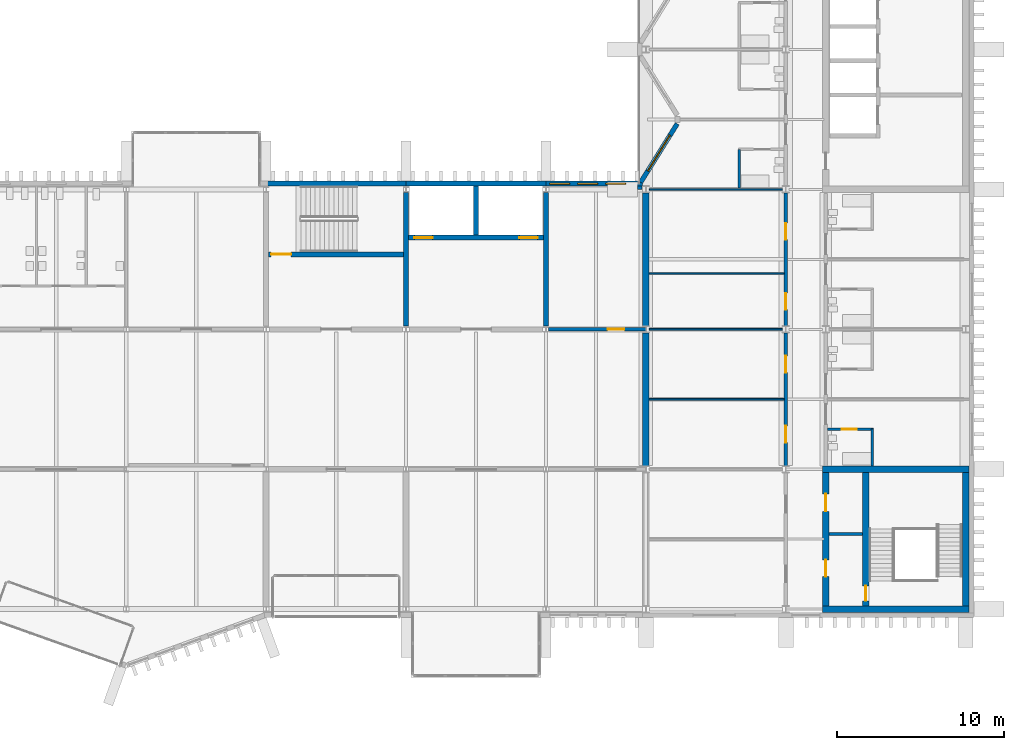
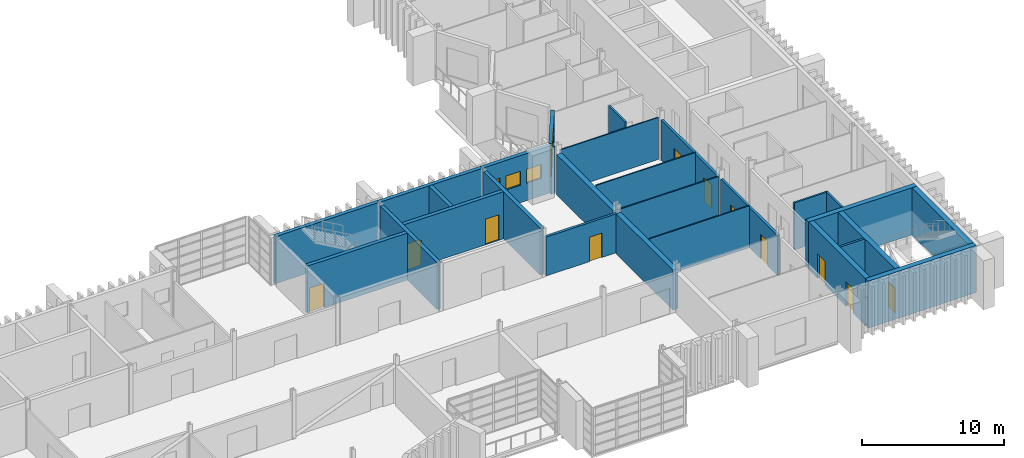
# One storey, part 74 of 100: 28 walls, 12 doors, 4 windows, 16 openings.
"""IFC4 building model written with IfcOpenShell, lengths in metres."""

from ifc_helpers import new_model, si_unit, direction, frame, frame_2d, origin, place, context, subcontext, project, spatial, rectangle, extrude, material, layer, layer_set, type_object, element, fill, save


model = new_model("IFC4")

# Units and contexts
model_context = context("Model", 3, precision=1e-05, world=origin(), true_north=direction((0.0, 1.0)))
body_context = subcontext(model_context, "Body", "Model", "MODEL_VIEW")
ifc_project = project(units=[si_unit("LENGTHUNIT", "METRE"), si_unit("AREAUNIT", "SQUARE_METRE"), si_unit("VOLUMEUNIT", "CUBIC_METRE"), si_unit("PLANEANGLEUNIT", "RADIAN"), si_unit("MASSUNIT", "GRAM", prefix="KILO")], contexts=[model_context])

# Site, building, storey
site_placement = place(None, origin())
site = spatial("IfcSite", under=ifc_project, at=site_placement, CompositionType="ELEMENT")
building_placement = place(site_placement, origin())
building = spatial("IfcBuilding", under=site, at=building_placement, Name="Cresset Court Congress Hotel", CompositionType="ELEMENT")
storey_placement = place(building_placement, frame((0.0, 0.0, 10.199951171875)))
storey = spatial("IfcBuildingStorey", under=building, at=storey_placement, Name="L02", CompositionType="ELEMENT", Elevation=10.199951171875)

# Walls
ifc_material_1 = material(Name="Concrete C50", Category="concrete")
ifc_layer_1 = layer(ifc_material_1, 0.300048828125)
ifc_layer_set_1 = layer_set([ifc_layer_1], Name="Core wall 300 Concrete C50")
wall_type_1 = type_object("IfcWallType", Name="Core wall 300 Concrete C50", PredefinedType="SHEAR", material=ifc_layer_set_1)
for number, where, z_axis, x_axis, name in (
    (1, (142.800048828125, 17.0, 0.0), (0.0, 0.0, 1.0), (0.0, 1.0, 0.0), "Core wall LC-B3"),
    (2, (151.199951171875, 17.0, 0.0), (0.0, 0.0, 1.0), (0.0, 1.0, 0.0), "Core wall LC-B3"),
):
    element("IfcWall", number, at=place(storey_placement, frame(where, z_axis=z_axis, x_axis=x_axis)), inside=storey, type_object=wall_type_1, Name=name, PredefinedType="SHEAR", context=body_context, shape_type="SweptSolid", body=[
        extrude(rectangle(XDim=8.0, YDim=0.300048828125, at=frame_2d((4.0, 0.0))), origin(), (0.0, 0.0, 1.0), 4.050048828125),
    ])

# Wall, openings, doors
wall_1_placement = place(storey_placement, frame((142.949951171875, 22.300048828125, 0.0), z_axis=(0.0, 0.0, 1.0), x_axis=(1.0, 0.0, 0.0)))
wall_1 = element("IfcWall", 3, at=wall_1_placement, inside=storey, type_object=wall_type_1, Name="Core wall LC-B3", PredefinedType="SHEAR", context=body_context, shape_type="SweptSolid", body=[
    extrude(rectangle(XDim=8.10009765625, YDim=0.300048828125, at=frame_2d((4.050048828125, 0.0))), origin(), (0.0, 0.0, 1.0), 4.050048828125),
])
opening_1_placement = place(wall_1_placement, frame((0.35009765625, 0.0, 0.0)))
opening_1 = element("IfcOpeningElement", 4, at=opening_1_placement, cuts=wall_1, Name="Opening LD-B3-07", PredefinedType="OPENING", context=body_context, shape_type="SweptSolid", body=[
    extrude(rectangle(XDim=1.10009765625, YDim=2.199951171875, at=frame_2d((0.550048828125, 1.10009765625))), frame((0.0, 0.159912109375, 0.0), z_axis=(0.0, -1.0, 0.0), x_axis=(1.0, 0.0, 0.0)), (0.0, 0.0, 1.0), 0.320068359375),
])
opening_2_placement = place(wall_1_placement, frame((6.64990234375, 0.0, 0.0)))
opening_2 = element("IfcOpeningElement", 5, at=opening_2_placement, cuts=wall_1, Name="Opening LD-B3-08", PredefinedType="OPENING", context=body_context, shape_type="SweptSolid", body=[
    extrude(rectangle(XDim=1.10009765625, YDim=2.199951171875, at=frame_2d((0.550048828125, 1.10009765625))), frame((0.0, 0.159912109375, 0.0), z_axis=(0.0, -1.0, 0.0), x_axis=(1.0, 0.0, 0.0)), (0.0, 0.0, 1.0), 0.320068359375),
])
ifc_material_2 = material(Name="Stainless steel", Category="steel")
door_type_1 = type_object("IfcDoorType", Name="Lift landing door sliding 1100x2200", OperationType="SLIDING_TO_LEFT", PredefinedType="DOOR", material=ifc_material_2)
door_1_placement = place(opening_1_placement, origin())
door_1 = element("IfcDoor", 6, at=door_1_placement, inside=storey, type_object=door_type_1, Name="Lift landing door LD-B3-07", OperationType="SLIDING_TO_LEFT", OverallHeight=2.199951171875, OverallWidth=1.10009765625, PredefinedType="DOOR", context=body_context, shape_type="SweptSolid", body=[
    extrude(rectangle(XDim=1.10009765625, YDim=2.199951171875, at=frame_2d((0.550048828125, 1.10009765625))), frame((0.0, 0.02490234375, 0.0), z_axis=(0.0, -1.0, 0.0), x_axis=(1.0, 0.0, 0.0)), (0.0, 0.0, 1.0), 0.050048828125),
])
fill(opening_1, door_1)
door_2_placement = place(opening_2_placement, origin())
door_2 = element("IfcDoor", 7, at=door_2_placement, inside=storey, type_object=door_type_1, Name="Lift landing door LD-B3-08", OperationType="SLIDING_TO_LEFT", OverallHeight=2.199951171875, OverallWidth=1.10009765625, PredefinedType="DOOR", context=body_context, shape_type="SweptSolid", body=[
    extrude(rectangle(XDim=1.10009765625, YDim=2.199951171875, at=frame_2d((0.550048828125, 1.10009765625))), frame((0.0, 0.02490234375, 0.0), z_axis=(0.0, -1.0, 0.0), x_axis=(1.0, 0.0, 0.0)), (0.0, 0.0, 1.0), 0.050048828125),
])
fill(opening_2, door_2)

# Wall
wall_2_placement = place(storey_placement, frame((147.0, 22.449951171875, 0.0), z_axis=(0.0, 0.0, 1.0), x_axis=(0.0, 1.0, 0.0)))
element("IfcWall", 8, at=wall_2_placement, inside=storey, type_object=wall_type_1, Name="Core wall LC-B3", PredefinedType="SHEAR", context=body_context, shape_type="SweptSolid", body=[
    extrude(rectangle(XDim=2.949951171875, YDim=0.300048828125, at=frame_2d((1.47509765625, 0.0))), origin(), (0.0, 0.0, 1.0), 4.050048828125),
])

# Wall, opening, door
wall_3_placement = place(storey_placement, frame((134.550048828125, 21.300048828125, 0.0), z_axis=(0.0, 0.0, 1.0), x_axis=(1.0, 0.0, 0.0)))
wall_3 = element("IfcWall", 9, at=wall_3_placement, inside=storey, type_object=wall_type_1, Name="Core wall ST-B5", PredefinedType="SHEAR", context=body_context, shape_type="SweptSolid", body=[
    extrude(rectangle(XDim=8.099853515625, YDim=0.300048828125, at=frame_2d((4.0498046875, 0.0))), origin(), (0.0, 0.0, 1.0), 4.050048828125),
])
opening_3_placement = place(wall_3_placement, frame((0.14990234375, 0.0, 0.0)))
opening_3 = element("IfcOpeningElement", 10, at=opening_3_placement, cuts=wall_3, Name="Opening DB-02-49", PredefinedType="OPENING", context=body_context, shape_type="SweptSolid", body=[
    extrude(rectangle(XDim=1.199951171875, YDim=2.10009765625, at=frame_2d((0.60009765625, 1.050048828125))), frame((0.0, 0.159912109375, 0.0), z_axis=(0.0, -1.0, 0.0), x_axis=(1.0, 0.0, 0.0)), (0.0, 0.0, 1.0), 0.320068359375),
])
ifc_material_3 = material(Name="Timber and steel frame", Category="steel")
door_type_2 = type_object("IfcDoorType", Name="Stair fire door FD60 1200x2100", OperationType="SINGLE_SWING_LEFT", PredefinedType="DOOR", material=ifc_material_3)
door_3_placement = place(opening_3_placement, origin())
door_3 = element("IfcDoor", 11, at=door_3_placement, inside=storey, type_object=door_type_2, Name="Stair door ST-B5", OperationType="SINGLE_SWING_LEFT", OverallHeight=2.10009765625, OverallWidth=1.199951171875, PredefinedType="DOOR", context=body_context, shape_type="SweptSolid", body=[
    extrude(rectangle(XDim=1.199951171875, YDim=2.10009765625, at=frame_2d((0.60009765625, 1.050048828125))), frame((0.0, 0.02490234375, 0.0), z_axis=(0.0, -1.0, 0.0), x_axis=(1.0, 0.0, 0.0)), (0.0, 0.0, 1.0), 0.050048828125),
])
fill(opening_3, door_3)

# Walls
ifc_material_4 = material(Name="Concrete C50", Category="concrete")
ifc_layer_2 = layer(ifc_material_4, 0.300048828125)
ifc_layer_set_2 = layer_set([ifc_layer_2], Name="Core wall 300 Concrete C50 external")
wall_type_2 = type_object("IfcWallType", Name="Core wall 300 Concrete C50 external", PredefinedType="SHEAR", material=ifc_layer_set_2)
wall_4_placement = place(storey_placement, frame((142.800048828125, 25.550048828125, 0.0), z_axis=(0.0, 0.0, 1.0), x_axis=(1.0, 0.0, 0.0)))
element("IfcWall", 12, at=wall_4_placement, inside=storey, type_object=wall_type_2, Name="Core wall LC-B3", PredefinedType="SHEAR", context=body_context, shape_type="SweptSolid", body=[
    extrude(rectangle(XDim=8.39990234375, YDim=0.300048828125, at=frame_2d((4.199951171875, 0.0))), origin(), (0.0, 0.0, 1.0), 4.050048828125),
])
wall_5_placement = place(storey_placement, frame((134.39990234375, 25.550048828125, 0.0), z_axis=(0.0, 0.0, 1.0), x_axis=(1.0, 0.0, 0.0)))
element("IfcWall", 13, at=wall_5_placement, inside=storey, type_object=wall_type_2, Name="Core wall ST-B5", PredefinedType="SHEAR", context=body_context, shape_type="SweptSolid", body=[
    extrude(rectangle(XDim=8.400146484375, YDim=0.300048828125, at=frame_2d((4.2001953125, 0.0))), origin(), (0.0, 0.0, 1.0), 4.050048828125),
])

# Wall, openings, doors
ifc_material_5 = material(Name="Gypsum board partition")
ifc_layer_3 = layer(ifc_material_5, 0.199951171875)
ifc_layer_set_3 = layer_set([ifc_layer_3], Name="Corridor wall 200")
wall_type_3 = type_object("IfcWallType", Name="Corridor wall 200", PredefinedType="PARTITIONING", material=ifc_layer_set_3)
wall_6_placement = place(storey_placement, frame((165.60009765625, 8.60693359375, 0.0), z_axis=(0.0, 0.0, 1.0), x_axis=(0.0, 1.0, 0.0)))
wall_6 = element("IfcWall", 14, at=wall_6_placement, inside=storey, type_object=wall_type_3, Name="A.wl.L02.062", PredefinedType="PARTITIONING", context=body_context, shape_type="SweptSolid", body=[
    extrude(rectangle(XDim=7.986083984375, YDim=0.199951171875, at=frame_2d((3.9931640625, 0.0))), origin(), (0.0, 0.0, 1.0), 3.449951171875),
])
opening_4_placement = place(wall_6_placement, frame((1.39306640625, 0.0, 0.0)))
opening_4 = element("IfcOpeningElement", 15, at=opening_4_placement, cuts=wall_6, Name="Opening DA-02-03", PredefinedType="OPENING", context=body_context, shape_type="SweptSolid", body=[
    extrude(rectangle(XDim=1.0, YDim=2.10009765625, at=frame_2d((0.5, 1.050048828125))), frame((0.0, 0.10986328125, 0.0), z_axis=(0.0, -1.0, 0.0), x_axis=(1.0, 0.0, 0.0)), (0.0, 0.0, 1.0), 0.219970703125),
])
opening_5_placement = place(wall_6_placement, frame((5.593017578125, 0.0, 0.0)))
opening_5 = element("IfcOpeningElement", 16, at=opening_5_placement, cuts=wall_6, Name="Opening DA-02-04", PredefinedType="OPENING", context=body_context, shape_type="SweptSolid", body=[
    extrude(rectangle(XDim=1.0, YDim=2.10009765625, at=frame_2d((0.5, 1.050048828125))), frame((0.0, 0.10986328125, 0.0), z_axis=(0.0, -1.0, 0.0), x_axis=(1.0, 0.0, 0.0)), (0.0, 0.0, 1.0), 0.219970703125),
])
ifc_material_6 = material(Name="timber", Category="wood")
door_type_3 = type_object("IfcDoorType", Name="Meeting-room door 1000x2100 FD90", OperationType="SINGLE_SWING_LEFT", PredefinedType="DOOR", material=ifc_material_6)
door_4_placement = place(opening_4_placement, origin())
door_4 = element("IfcDoor", 17, at=door_4_placement, inside=storey, type_object=door_type_3, Name="Door DA-02-03", OperationType="SINGLE_SWING_LEFT", OverallHeight=2.10009765625, OverallWidth=1.0, PredefinedType="DOOR", context=body_context, shape_type="SweptSolid", body=[
    extrude(rectangle(XDim=1.0, YDim=2.10009765625, at=frame_2d((0.5, 1.050048828125))), frame((0.0, 0.02490234375, 0.0), z_axis=(0.0, -1.0, 0.0), x_axis=(1.0, 0.0, 0.0)), (0.0, 0.0, 1.0), 0.050048828125),
])
fill(opening_4, door_4)
door_5_placement = place(opening_5_placement, origin())
door_5 = element("IfcDoor", 18, at=door_5_placement, inside=storey, type_object=door_type_3, Name="Door DA-02-04", OperationType="SINGLE_SWING_RIGHT", OverallHeight=2.10009765625, OverallWidth=1.0, PredefinedType="DOOR", context=body_context, shape_type="SweptSolid", body=[
    extrude(rectangle(XDim=1.0, YDim=2.10009765625, at=frame_2d((0.5, 1.050048828125))), frame((0.0, 0.02490234375, 0.0), z_axis=(0.0, -1.0, 0.0), x_axis=(1.0, 0.0, 0.0)), (0.0, 0.0, 1.0), 0.050048828125),
])
fill(opening_5, door_5)

wall_7_placement = place(storey_placement, frame((165.60009765625, 17.007080078125, 0.0), z_axis=(0.0, 0.0, 1.0), x_axis=(0.0, 1.0, 0.0)))
wall_7 = element("IfcWall", 19, at=wall_7_placement, inside=storey, type_object=wall_type_3, Name="A.wl.L02.063", PredefinedType="PARTITIONING", context=body_context, shape_type="SweptSolid", body=[
    extrude(rectangle(XDim=7.98583984375, YDim=0.199951171875, at=frame_2d((3.992919921875, 0.0))), origin(), (0.0, 0.0, 1.0), 3.449951171875),
])
opening_6_placement = place(wall_7_placement, frame((0.972900390625, 0.0, 0.0)))
opening_6 = element("IfcOpeningElement", 20, at=opening_6_placement, cuts=wall_7, Name="Opening DA-02-05", PredefinedType="OPENING", context=body_context, shape_type="SweptSolid", body=[
    extrude(rectangle(XDim=1.0, YDim=2.10009765625, at=frame_2d((0.5, 1.050048828125))), frame((0.0, 0.10986328125, 0.0), z_axis=(0.0, -1.0, 0.0), x_axis=(1.0, 0.0, 0.0)), (0.0, 0.0, 1.0), 0.219970703125),
])
opening_7_placement = place(wall_7_placement, frame((5.173095703125, 0.0, 0.0)))
opening_7 = element("IfcOpeningElement", 21, at=opening_7_placement, cuts=wall_7, Name="Opening DA-02-06", PredefinedType="OPENING", context=body_context, shape_type="SweptSolid", body=[
    extrude(rectangle(XDim=1.0, YDim=2.10009765625, at=frame_2d((0.5, 1.050048828125))), frame((0.0, 0.10986328125, 0.0), z_axis=(0.0, -1.0, 0.0), x_axis=(1.0, 0.0, 0.0)), (0.0, 0.0, 1.0), 0.219970703125),
])
door_6_placement = place(opening_6_placement, origin())
door_6 = element("IfcDoor", 22, at=door_6_placement, inside=storey, type_object=door_type_3, Name="Door DA-02-05", OperationType="SINGLE_SWING_LEFT", OverallHeight=2.10009765625, OverallWidth=1.0, PredefinedType="DOOR", context=body_context, shape_type="SweptSolid", body=[
    extrude(rectangle(XDim=1.0, YDim=2.10009765625, at=frame_2d((0.5, 1.050048828125))), frame((0.0, 0.02490234375, 0.0), z_axis=(0.0, -1.0, 0.0), x_axis=(1.0, 0.0, 0.0)), (0.0, 0.0, 1.0), 0.050048828125),
])
fill(opening_6, door_6)
door_7_placement = place(opening_7_placement, origin())
door_7 = element("IfcDoor", 23, at=door_7_placement, inside=storey, type_object=door_type_3, Name="Door DA-02-06", OperationType="SINGLE_SWING_RIGHT", OverallHeight=2.10009765625, OverallWidth=1.0, PredefinedType="DOOR", context=body_context, shape_type="SweptSolid", body=[
    extrude(rectangle(XDim=1.0, YDim=2.10009765625, at=frame_2d((0.5, 1.050048828125))), frame((0.0, 0.02490234375, 0.0), z_axis=(0.0, -1.0, 0.0), x_axis=(1.0, 0.0, 0.0)), (0.0, 0.0, 1.0), 0.050048828125),
])
fill(opening_7, door_7)

# Walls
ifc_material_7 = material(Name="Gypsum board partition")
ifc_layer_4 = layer(ifc_material_7, 0.14990234375)
ifc_layer_set_4 = layer_set([ifc_layer_4], Name="En-suite wall 150")
wall_type_4 = type_object("IfcWallType", Name="En-suite wall 150", PredefinedType="PARTITIONING", material=ifc_layer_set_4)
wall_8_placement = place(storey_placement, frame((162.800048828125, 25.27490234375, 0.0), z_axis=(0.0, 0.0, 1.0), x_axis=(0.0, 1.0, 0.0)))
element("IfcWall", 24, at=wall_8_placement, inside=storey, type_object=wall_type_4, Name="A.wl.L02.001", PredefinedType="PARTITIONING", context=body_context, shape_type="SweptSolid", body=[
    extrude(rectangle(XDim=2.3251953125, YDim=0.14990234375, at=frame_2d((1.16259765625, 0.0))), origin(), (0.0, 0.0, 1.0), 4.050048828125),
])
wall_9_placement = place(storey_placement, frame((170.800048828125, 8.60009765625, 0.0), z_axis=(0.0, 0.0, 1.0), x_axis=(0.0, 1.0, 0.0)))
element("IfcWall", 25, at=wall_9_placement, inside=storey, type_object=wall_type_4, Name="A.wl.L02.021", PredefinedType="PARTITIONING", context=body_context, shape_type="SweptSolid", body=[
    extrude(rectangle(XDim=2.199951171875, YDim=0.14990234375, at=frame_2d((1.10009765625, 0.0))), origin(), (0.0, 0.0, 1.0), 4.050048828125),
])

# Wall, opening, door
wall_10_placement = place(storey_placement, frame((170.85009765625, 10.800048828125, 0.0), z_axis=(0.0, 0.0, 1.0), x_axis=(-1.0, 0.0, 0.0)))
wall_10 = element("IfcWall", 26, at=wall_10_placement, inside=storey, type_object=wall_type_4, Name="A.wl.L02.022", PredefinedType="PARTITIONING", context=body_context, shape_type="SweptSolid", body=[
    extrude(rectangle(XDim=2.75, YDim=0.14990234375, at=frame_2d((1.375, 0.0))), origin(), (0.0, 0.0, 1.0), 4.050048828125),
])
opening_8_placement = place(wall_10_placement, frame((0.97998046875, 0.0, 0.0)))
opening_8 = element("IfcOpeningElement", 27, at=opening_8_placement, cuts=wall_10, Name="Opening DA-02-27", PredefinedType="OPENING", context=body_context, shape_type="SweptSolid", body=[
    extrude(rectangle(XDim=0.89990234375, YDim=2.10009765625, at=frame_2d((0.449951171875, 1.050048828125))), frame((0.0, 0.0849609375, 0.0), z_axis=(0.0, -1.0, 0.0), x_axis=(1.0, 0.0, 0.0)), (0.0, 0.0, 1.0), 0.169921875),
])
ifc_material_8 = material(Name="timber", Category="wood")
door_type_4 = type_object("IfcDoorType", Name="En-suite door 900x2100", OperationType="SINGLE_SWING_LEFT", PredefinedType="DOOR", material=ifc_material_8)
door_8_placement = place(opening_8_placement, origin())
door_8 = element("IfcDoor", 28, at=door_8_placement, inside=storey, type_object=door_type_4, Name="Door DA-02-27", OperationType="SINGLE_SWING_RIGHT", OverallHeight=2.10009765625, OverallWidth=0.89990234375, PredefinedType="DOOR", context=body_context, shape_type="SweptSolid", body=[
    extrude(rectangle(XDim=0.89990234375, YDim=2.10009765625, at=frame_2d((0.449951171875, 1.050048828125))), frame((0.0, 0.02490234375, 0.0), z_axis=(0.0, -1.0, 0.0), x_axis=(1.0, 0.0, 0.0)), (0.0, 0.0, 1.0), 0.050048828125),
])
fill(opening_8, door_8)

# Wall
ifc_material_9 = material(Name="Precast concrete C50", Category="concrete")
ifc_layer_5 = layer(ifc_material_9, 0.280029296875)
ifc_layer_set_5 = layer_set([ifc_layer_5], Name="External wall 280")
wall_type_5 = type_object("IfcWallType", Name="External wall 280", PredefinedType="SOLIDWALL", material=ifc_layer_set_5)
wall_11_placement = place(storey_placement, frame((156.840087890625, 25.199951171875, 0.0), z_axis=(0.0, 0.0, 1.0), x_axis=(0.0, 1.0, 0.0)))
element("IfcWall", 29, at=wall_11_placement, inside=storey, type_object=wall_type_5, Name="A.ew.L02.W.1", PredefinedType="SOLIDWALL", context=body_context, shape_type="SweptSolid", body=[
    extrude(rectangle(XDim=0.199951171875, YDim=0.280029296875, at=frame_2d((0.10009765625, 0.0))), origin(), (0.0, 0.0, 1.0), 4.050048828125),
])

# Wall, opening, window
wall_12_placement = place(storey_placement, frame((156.88623046875, 25.6240234375, 0.0), z_axis=(0.0, 0.0, 1.0), x_axis=(0.528992500338, 0.848626498871, 0.0)))
wall_12 = element("IfcWall", 30, at=wall_12_placement, inside=storey, type_object=wall_type_5, Name="A.ew.L02.Wn.3.0", PredefinedType="SOLIDWALL", context=body_context, shape_type="SweptSolid", body=[
    extrude(rectangle(XDim=4.14453125, YDim=0.280029296875, at=frame_2d((2.072265625, 0.0))), origin(), (0.0, 0.0, 1.0), 4.050048828125),
])
opening_9_placement = place(wall_12_placement, frame((0.812255859375, 0.0, 0.60009765625)))
opening_9 = element("IfcOpeningElement", 31, at=opening_9_placement, cuts=wall_12, Name="Opening NA-02-01", PredefinedType="OPENING", context=body_context, shape_type="SweptSolid", body=[
    extrude(rectangle(XDim=2.52001953125, YDim=2.39990234375, at=frame_2d((1.260009765625, 1.199951171875))), frame((0.0, 0.14990234375, 0.0), z_axis=(0.0, -1.0, 0.0), x_axis=(1.0, 0.0, 0.0)), (0.0, 0.0, 1.0), 0.300048828125),
])
ifc_material_10 = material(Name="Aluminium and glass", Category="aluminium")
window_type_1 = type_object("IfcWindowType", Name="Window 2520x2400", PartitioningType="SINGLE_PANEL", PredefinedType="WINDOW", material=ifc_material_10)
window_1_placement = place(opening_9_placement, origin())
window_1 = element("IfcWindow", 32, at=window_1_placement, inside=storey, type_object=window_type_1, Name="Window NA-02-01", OverallHeight=2.39990234375, OverallWidth=2.52001953125, PartitioningType="SINGLE_PANEL", PredefinedType="WINDOW", context=body_context, shape_type="SweptSolid", body=[
    extrude(rectangle(XDim=2.52001953125, YDim=2.39990234375, at=frame_2d((1.260009765625, 1.199951171875))), frame((0.0, 0.030029296875, 0.0), z_axis=(0.0, -1.0, 0.0), x_axis=(1.0, 0.0, 0.0)), (0.0, 0.0, 1.0), 0.06005859375),
])
fill(opening_9, window_1)

# Wall, openings, windows
ifc_material_11 = material(Name="Concrete C40", Category="concrete")
ifc_layer_6 = layer(ifc_material_11, 0.300048828125)
ifc_layer_set_6 = layer_set([ifc_layer_6], Name="External wall 300 Concrete C40")
wall_type_6 = type_object("IfcWallType", Name="External wall 300 Concrete C40", PredefinedType="SOLIDWALL", material=ifc_layer_set_6)
wall_13_placement = place(storey_placement, frame((151.10009765625, 25.550048828125, 0.0), z_axis=(0.0, 0.0, 1.0), x_axis=(1.0, 0.0, 0.0)))
wall_13 = element("IfcWall", 33, at=wall_13_placement, inside=storey, type_object=wall_type_6, Name="External wall", PredefinedType="SOLIDWALL", context=body_context, shape_type="SweptSolid", body=[
    extrude(rectangle(XDim=5.89990234375, YDim=0.300048828125, at=frame_2d((2.949951171875, 0.0))), origin(), (0.0, 0.0, 1.0), 4.050048828125),
])
opening_10_placement = place(wall_13_placement, frame((0.340087890625, 0.0, 1.5)))
opening_10 = element("IfcOpeningElement", 34, at=opening_10_placement, cuts=wall_13, Name="Opening NB-02-67", PredefinedType="OPENING", context=body_context, shape_type="SweptSolid", body=[
    extrude(rectangle(XDim=1.199951171875, YDim=1.199951171875, at=frame_2d((0.60009765625, 0.60009765625))), frame((0.0, 0.159912109375, 0.0), z_axis=(0.0, -1.0, 0.0), x_axis=(1.0, 0.0, 0.0)), (0.0, 0.0, 1.0), 0.320068359375),
])
opening_11_placement = place(wall_13_placement, frame((2.02001953125, 0.0, 1.5)))
opening_11 = element("IfcOpeningElement", 35, at=opening_11_placement, cuts=wall_13, Name="Opening NB-02-68", PredefinedType="OPENING", context=body_context, shape_type="SweptSolid", body=[
    extrude(rectangle(XDim=1.199951171875, YDim=1.199951171875, at=frame_2d((0.60009765625, 0.60009765625))), frame((0.0, 0.159912109375, 0.0), z_axis=(0.0, -1.0, 0.0), x_axis=(1.0, 0.0, 0.0)), (0.0, 0.0, 1.0), 0.320068359375),
])
opening_12_placement = place(wall_13_placement, frame((3.699951171875, 0.0, 1.5)))
opening_12 = element("IfcOpeningElement", 36, at=opening_12_placement, cuts=wall_13, Name="Opening NB-02-69", PredefinedType="OPENING", context=body_context, shape_type="SweptSolid", body=[
    extrude(rectangle(XDim=1.199951171875, YDim=1.199951171875, at=frame_2d((0.60009765625, 0.60009765625))), frame((0.0, 0.159912109375, 0.0), z_axis=(0.0, -1.0, 0.0), x_axis=(1.0, 0.0, 0.0)), (0.0, 0.0, 1.0), 0.320068359375),
])
ifc_material_12 = material(Name="Aluminium frame with double glazing", Category="aluminium")
window_type_2 = type_object("IfcWindowType", Name="Window 1200x1200", PartitioningType="SINGLE_PANEL", PredefinedType="WINDOW", material=ifc_material_12)
window_2_placement = place(opening_10_placement, origin())
window_2 = element("IfcWindow", 37, at=window_2_placement, inside=storey, type_object=window_type_2, Name="Window NB-02-67", OverallHeight=1.199951171875, OverallWidth=1.199951171875, PartitioningType="SINGLE_PANEL", PredefinedType="WINDOW", context=body_context, shape_type="SweptSolid", body=[
    extrude(rectangle(XDim=1.199951171875, YDim=1.199951171875, at=frame_2d((0.60009765625, 0.60009765625))), frame((0.0, 0.030029296875, 0.0), z_axis=(0.0, -1.0, 0.0), x_axis=(1.0, 0.0, 0.0)), (0.0, 0.0, 1.0), 0.06005859375),
])
fill(opening_10, window_2)
window_3_placement = place(opening_11_placement, origin())
window_3 = element("IfcWindow", 38, at=window_3_placement, inside=storey, type_object=window_type_2, Name="Window NB-02-68", OverallHeight=1.199951171875, OverallWidth=1.199951171875, PartitioningType="SINGLE_PANEL", PredefinedType="WINDOW", context=body_context, shape_type="SweptSolid", body=[
    extrude(rectangle(XDim=1.199951171875, YDim=1.199951171875, at=frame_2d((0.60009765625, 0.60009765625))), frame((0.0, 0.030029296875, 0.0), z_axis=(0.0, -1.0, 0.0), x_axis=(1.0, 0.0, 0.0)), (0.0, 0.0, 1.0), 0.06005859375),
])
fill(opening_11, window_3)
window_4_placement = place(opening_12_placement, origin())
window_4 = element("IfcWindow", 39, at=window_4_placement, inside=storey, type_object=window_type_2, Name="Window NB-02-69", OverallHeight=1.199951171875, OverallWidth=1.199951171875, PartitioningType="SINGLE_PANEL", PredefinedType="WINDOW", context=body_context, shape_type="SweptSolid", body=[
    extrude(rectangle(XDim=1.199951171875, YDim=1.199951171875, at=frame_2d((0.60009765625, 0.60009765625))), frame((0.0, 0.030029296875, 0.0), z_axis=(0.0, -1.0, 0.0), x_axis=(1.0, 0.0, 0.0)), (0.0, 0.0, 1.0), 0.06005859375),
])
fill(opening_12, window_4)

# Wall, opening, door
ifc_material_13 = material(Name="Gypsum board on steel studs", Category="steel")
ifc_layer_7 = layer(ifc_material_13, 0.199951171875)
ifc_layer_set_7 = layer_set([ifc_layer_7], Name="Foyer wall 200")
wall_type_7 = type_object("IfcWallType", Name="Foyer wall 200", PredefinedType="PARTITIONING", material=ifc_layer_set_7)
wall_14_placement = place(storey_placement, frame((151.35009765625, 16.800048828125, 0.0), z_axis=(0.0, 0.0, 1.0), x_axis=(1.0, 0.0, 0.0)))
wall_14 = element("IfcWall", 40, at=wall_14_placement, inside=storey, type_object=wall_type_7, Name="Foyer wall", PredefinedType="PARTITIONING", context=body_context, shape_type="SweptSolid", body=[
    extrude(rectangle(XDim=5.849853515625, YDim=0.199951171875, at=frame_2d((2.9248046875, 0.0))), origin(), (0.0, 0.0, 1.0), 3.35009765625),
])
opening_13_placement = place(wall_14_placement, frame((3.550048828125, 0.0, 0.0)))
opening_13 = element("IfcOpeningElement", 41, at=opening_13_placement, cuts=wall_14, Name="Opening DB-02-26", PredefinedType="OPENING", context=body_context, shape_type="SweptSolid", body=[
    extrude(rectangle(XDim=1.0, YDim=2.10009765625, at=frame_2d((0.5, 1.050048828125))), frame((0.0, 0.10986328125, 0.0), z_axis=(0.0, -1.0, 0.0), x_axis=(1.0, 0.0, 0.0)), (0.0, 0.0, 1.0), 0.219970703125),
])
ifc_material_14 = material(Name="Timber and steel frame", Category="steel")
door_type_5 = type_object("IfcDoorType", Name="Fire door FD30 single 1000x2100", OperationType="SINGLE_SWING_LEFT", PredefinedType="DOOR", material=ifc_material_14)
door_9_placement = place(opening_13_placement, origin())
door_9 = element("IfcDoor", 42, at=door_9_placement, inside=storey, type_object=door_type_5, Name="Storage door", OperationType="SINGLE_SWING_LEFT", OverallHeight=2.10009765625, OverallWidth=1.0, PredefinedType="DOOR", context=body_context, shape_type="SweptSolid", body=[
    extrude(rectangle(XDim=1.0, YDim=2.10009765625, at=frame_2d((0.5, 1.050048828125))), frame((0.0, 0.02490234375, 0.0), z_axis=(0.0, -1.0, 0.0), x_axis=(1.0, 0.0, 0.0)), (0.0, 0.0, 1.0), 0.050048828125),
])
fill(opening_13, door_9)

# Walls
ifc_material_15 = material(Name="Gypsum board partition")
ifc_layer_8 = layer(ifc_material_15, 0.10009765625)
ifc_layer_set_8 = layer_set([ifc_layer_8], Name="Guest-room partition 100")
wall_type_8 = type_object("IfcWallType", Name="Guest-room partition 100", PredefinedType="PARTITIONING", material=ifc_layer_set_8)
for number, where, z_axis, x_axis, name in (
    (43, (157.402587890625, 16.800048828125, 0.0), (0.0, 0.0, 1.0), (1.0, 0.0, 0.0), "A.wl.L02.038"),
    (44, (157.402587890625, 25.199951171875, 0.0), (0.0, 0.0, 1.0), (1.0, 0.0, 0.0), "A.wl.L02.039"),
):
    element("IfcWall", number, at=place(storey_placement, frame(where, z_axis=z_axis, x_axis=x_axis)), inside=storey, type_object=wall_type_8, Name=name, PredefinedType="PARTITIONING", context=body_context, shape_type="SweptSolid", body=[
        extrude(rectangle(XDim=7.994873046875, YDim=0.10009765625, at=frame_2d((3.99755859375, 0.0))), origin(), (0.0, 0.0, 1.0), 3.60400390625),
    ])
for number, where, z_axis, x_axis, name in (
    (45, (157.39990234375, 12.60009765625, 0.0), (0.0, 0.0, 1.0), (1.0, 0.0, 0.0), "A.wl.L02.047"),
    (46, (157.39990234375, 20.159912109375, 0.0), (0.0, 0.0, 1.0), (1.0, 0.0, 0.0), "A.wl.L02.048"),
):
    element("IfcWall", number, at=place(storey_placement, frame(where, z_axis=z_axis, x_axis=x_axis)), inside=storey, type_object=wall_type_8, Name=name, PredefinedType="PARTITIONING", context=body_context, shape_type="SweptSolid", body=[
        extrude(rectangle(XDim=8.10009765625, YDim=0.10009765625, at=frame_2d((4.050048828125, 0.0))), origin(), (0.0, 0.0, 1.0), 3.60400390625),
    ])
ifc_material_16 = material(Name="Concrete C40", Category="concrete")
ifc_layer_9 = layer(ifc_material_16, 0.39990234375)
ifc_layer_set_9 = layer_set([ifc_layer_9], Name="Party wall with Block B 400")
wall_type_9 = type_object("IfcWallType", Name="Party wall with Block B 400", PredefinedType="SOLIDWALL", material=ifc_layer_set_9)
wall_15_placement = place(storey_placement, frame((157.199951171875, 8.60693359375, 0.0), z_axis=(0.0, 0.0, 1.0), x_axis=(0.0, 1.0, 0.0)))
element("IfcWall", 47, at=wall_15_placement, inside=storey, type_object=wall_type_9, Name="A.wl.L02.059", PredefinedType="SOLIDWALL", context=body_context, shape_type="SweptSolid", body=[
    extrude(rectangle(XDim=7.986083984375, YDim=0.39990234375, at=frame_2d((3.9931640625, 0.0))), origin(), (0.0, 0.0, 1.0), 3.449951171875),
])
wall_16_placement = place(storey_placement, frame((157.199951171875, 17.007080078125, 0.0), z_axis=(0.0, 0.0, 1.0), x_axis=(0.0, 1.0, 0.0)))
element("IfcWall", 48, at=wall_16_placement, inside=storey, type_object=wall_type_9, Name="A.wl.L02.060", PredefinedType="SOLIDWALL", context=body_context, shape_type="SweptSolid", body=[
    extrude(rectangle(XDim=7.98583984375, YDim=0.39990234375, at=frame_2d((3.992919921875, 0.0))), origin(), (0.0, 0.0, 1.0), 3.449951171875),
])
ifc_material_17 = material(Name="Concrete block wall", Category="concrete")
ifc_layer_10 = layer(ifc_material_17, 0.175048828125)
ifc_layer_set_10 = layer_set([ifc_layer_10], Name="Riser shaft wall 175")
wall_type_10 = type_object("IfcWallType", Name="Riser shaft wall 175", PredefinedType="PARTITIONING", material=ifc_layer_set_10)
wall_17_placement = place(storey_placement, frame((168.199951171875, 4.5, 0.0), z_axis=(0.0, 0.0, 1.0), x_axis=(1.0, 0.0, 0.0)))
element("IfcWall", 49, at=wall_17_placement, inside=storey, type_object=wall_type_10, Name="A.wl.L02.074", PredefinedType="PARTITIONING", context=body_context, shape_type="SweptSolid", body=[
    extrude(rectangle(XDim=2.0, YDim=0.175048828125, at=frame_2d((1.0, 0.0))), origin(), (0.0, 0.0, 1.0), 4.050048828125),
])
ifc_material_18 = material(Name="Concrete C50", Category="concrete")
ifc_layer_11 = layer(ifc_material_18, 0.39990234375)
ifc_layer_set_11 = layer_set([ifc_layer_11], Name="Stair core wall 400")
wall_type_11 = type_object("IfcWallType", Name="Stair core wall 400", PredefinedType="SOLIDWALL", material=ifc_layer_set_11)
for number, where, z_axis, x_axis, name in (
    (50, (167.800048828125, 0.0, 0.0), (0.0, 0.0, 1.0), (1.0, 0.0, 0.0), "A.cw.ST-A1.L02.S"),
    (51, (167.800048828125, 8.39990234375, 0.0), (0.0, 0.0, 1.0), (1.0, 0.0, 0.0), "A.cw.ST-A1.L02.N"),
):
    element("IfcWall", number, at=place(storey_placement, frame(where, z_axis=z_axis, x_axis=x_axis)), inside=storey, type_object=wall_type_11, Name=name, PredefinedType="SOLIDWALL", context=body_context, shape_type="SweptSolid", body=[
        extrude(rectangle(XDim=8.800048828125, YDim=0.39990234375, at=frame_2d((4.39990234375, 0.0))), origin(), (0.0, 0.0, 1.0), 4.050048828125),
    ])

# Wall, openings, doors
wall_18_placement = place(storey_placement, frame((168.0, 0.199951171875, 0.0), z_axis=(0.0, 0.0, 1.0), x_axis=(0.0, 1.0, 0.0)))
wall_18 = element("IfcWall", 52, at=wall_18_placement, inside=storey, type_object=wall_type_11, Name="A.cw.ST-A1.L02.W", PredefinedType="SOLIDWALL", context=body_context, shape_type="SweptSolid", body=[
    extrude(rectangle(XDim=8.0, YDim=0.39990234375, at=frame_2d((4.0, 0.0))), origin(), (0.0, 0.0, 1.0), 4.050048828125),
])
opening_14_placement = place(wall_18_placement, frame((1.75, 0.0, 0.0)))
opening_14 = element("IfcOpeningElement", 53, at=opening_14_placement, cuts=wall_18, Name="Opening DA-02-44", PredefinedType="OPENING", context=body_context, shape_type="SweptSolid", body=[
    extrude(rectangle(XDim=1.0, YDim=2.10009765625, at=frame_2d((0.5, 1.050048828125))), frame((0.0, 0.2099609375, 0.0), z_axis=(0.0, -1.0, 0.0), x_axis=(1.0, 0.0, 0.0)), (0.0, 0.0, 1.0), 0.419921875),
])
opening_15_placement = place(wall_18_placement, frame((5.675048828125, 0.0, 0.0)))
opening_15 = element("IfcOpeningElement", 54, at=opening_15_placement, cuts=wall_18, Name="Opening DA-02-45", PredefinedType="OPENING", context=body_context, shape_type="SweptSolid", body=[
    extrude(rectangle(XDim=1.050048828125, YDim=2.10009765625, at=frame_2d((0.52490234375, 1.050048828125))), frame((0.0, 0.2099609375, 0.0), z_axis=(0.0, -1.0, 0.0), x_axis=(1.0, 0.0, 0.0)), (0.0, 0.0, 1.0), 0.419921875),
])
ifc_material_19 = material(Name="steel", Category="steel")
door_type_6 = type_object("IfcDoorType", Name="Housekeeping room door 1050x2100 FD30", OperationType="SINGLE_SWING_LEFT", PredefinedType="DOOR", material=ifc_material_19)
door_10_placement = place(opening_15_placement, origin())
door_10 = element("IfcDoor", 55, at=door_10_placement, inside=storey, type_object=door_type_6, Name="Door DA-02-45", OperationType="SINGLE_SWING_LEFT", OverallHeight=2.10009765625, OverallWidth=1.050048828125, PredefinedType="DOOR", context=body_context, shape_type="SweptSolid", body=[
    extrude(rectangle(XDim=1.050048828125, YDim=2.10009765625, at=frame_2d((0.52490234375, 1.050048828125))), frame((0.0, 0.02490234375, 0.0), z_axis=(0.0, -1.0, 0.0), x_axis=(1.0, 0.0, 0.0)), (0.0, 0.0, 1.0), 0.050048828125),
])
fill(opening_15, door_10)
ifc_material_20 = material(Name="steel", Category="steel")
door_type_7 = type_object("IfcDoorType", Name="Lobby door 1000x2100 FD60", OperationType="SINGLE_SWING_LEFT", PredefinedType="DOOR", material=ifc_material_20)
door_11_placement = place(opening_14_placement, origin())
door_11 = element("IfcDoor", 56, at=door_11_placement, inside=storey, type_object=door_type_7, Name="Door DA-02-44", OperationType="SINGLE_SWING_RIGHT", OverallHeight=2.10009765625, OverallWidth=1.0, PredefinedType="DOOR", context=body_context, shape_type="SweptSolid", body=[
    extrude(rectangle(XDim=1.0, YDim=2.10009765625, at=frame_2d((0.5, 1.050048828125))), frame((0.0, 0.02490234375, 0.0), z_axis=(0.0, -1.0, 0.0), x_axis=(1.0, 0.0, 0.0)), (0.0, 0.0, 1.0), 0.050048828125),
])
fill(opening_14, door_11)

# Wall
wall_19_placement = place(storey_placement, frame((176.39990234375, 0.199951171875, 0.0), z_axis=(0.0, 0.0, 1.0), x_axis=(0.0, 1.0, 0.0)))
element("IfcWall", 57, at=wall_19_placement, inside=storey, type_object=wall_type_11, Name="A.cw.ST-A1.L02.E", PredefinedType="SOLIDWALL", context=body_context, shape_type="SweptSolid", body=[
    extrude(rectangle(XDim=8.0, YDim=0.39990234375, at=frame_2d((4.0, 0.0))), origin(), (0.0, 0.0, 1.0), 4.050048828125),
])

# Wall, opening, door
wall_20_placement = place(storey_placement, frame((170.39990234375, 0.199951171875, 0.0), z_axis=(0.0, 0.0, 1.0), x_axis=(0.0, 1.0, 0.0)))
wall_20 = element("IfcWall", 58, at=wall_20_placement, inside=storey, type_object=wall_type_11, Name="A.wl.L02.073", PredefinedType="SOLIDWALL", context=body_context, shape_type="SweptSolid", body=[
    extrude(rectangle(XDim=8.0, YDim=0.39990234375, at=frame_2d((4.0, 0.0))), origin(), (0.0, 0.0, 1.0), 4.050048828125),
])
opening_16_placement = place(wall_20_placement, frame((0.300048828125, 0.0, 0.0)))
opening_16 = element("IfcOpeningElement", 59, at=opening_16_placement, cuts=wall_20, Name="Opening DA-02-43", PredefinedType="OPENING", context=body_context, shape_type="SweptSolid", body=[
    extrude(rectangle(XDim=0.89990234375, YDim=2.10009765625, at=frame_2d((0.449951171875, 1.050048828125))), frame((0.0, 0.2099609375, 0.0), z_axis=(0.0, -1.0, 0.0), x_axis=(1.0, 0.0, 0.0)), (0.0, 0.0, 1.0), 0.419921875),
])
ifc_material_21 = material(Name="steel", Category="steel")
door_type_8 = type_object("IfcDoorType", Name="Stair door 900x2100 FD60", OperationType="SINGLE_SWING_LEFT", PredefinedType="DOOR", material=ifc_material_21)
door_12_placement = place(opening_16_placement, origin())
door_12 = element("IfcDoor", 60, at=door_12_placement, inside=storey, type_object=door_type_8, Name="Door DA-02-43", OperationType="SINGLE_SWING_LEFT", OverallHeight=2.10009765625, OverallWidth=0.89990234375, PredefinedType="DOOR", context=body_context, shape_type="SweptSolid", body=[
    extrude(rectangle(XDim=0.89990234375, YDim=2.10009765625, at=frame_2d((0.449951171875, 1.050048828125))), frame((0.0, 0.02490234375, 0.0), z_axis=(0.0, -1.0, 0.0), x_axis=(1.0, 0.0, 0.0)), (0.0, 0.0, 1.0), 0.050048828125),
])
fill(opening_16, door_12)

save(model, "model.ifc")
